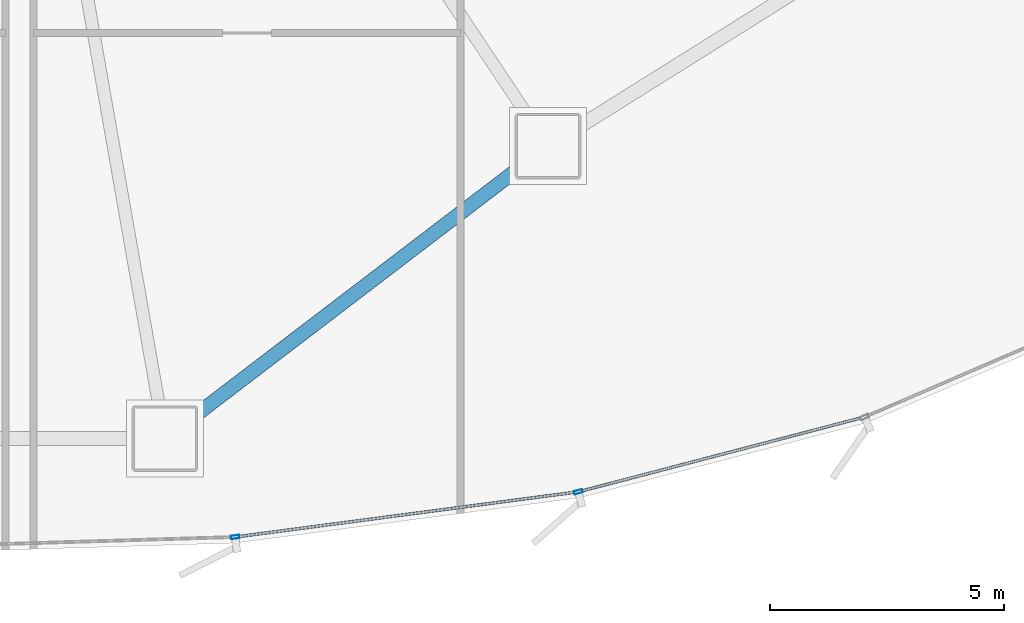
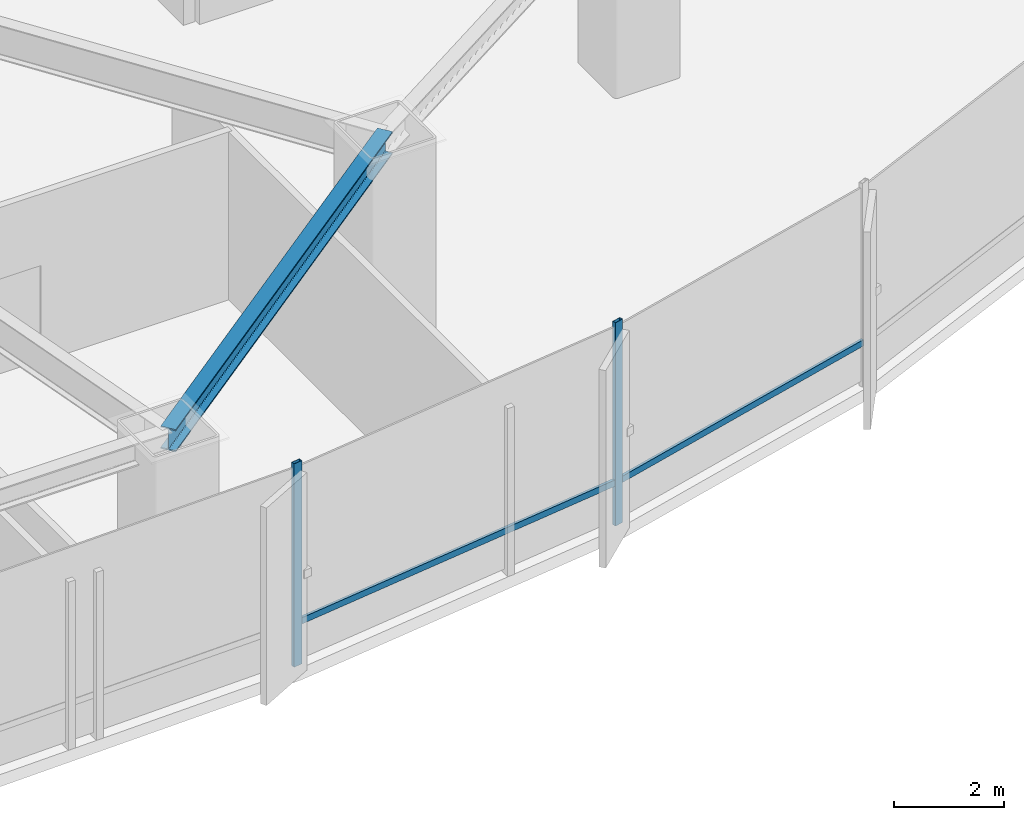
# One storey, part 8 of 34: 4 members, 1 beam, 1 element without a shape of its own.
"""IFC4 building model written with IfcOpenShell, lengths in metres."""

from ifc_helpers import new_model, si_unit, direction, frame, origin, origin_2d, place, context, subcontext, project, spatial, hollow_rectangle, i_section, extrude, source, transform, mapped, material, layer, layer_set, material_profile, profile_set, type_object, element, aggregate, save


model = new_model("IFC4")

# Units and contexts
model_context = context("Model", 3, precision=1e-05, world=origin(), true_north=direction((0.0, 1.0)))
body_context = subcontext(model_context, "Body", "Model", "MODEL_VIEW")
ifc_project = project(units=[si_unit("LENGTHUNIT", "METRE"), si_unit("AREAUNIT", "SQUARE_METRE"), si_unit("VOLUMEUNIT", "CUBIC_METRE"), si_unit("PLANEANGLEUNIT", "RADIAN"), si_unit("MASSUNIT", "GRAM", prefix="KILO"), si_unit("THERMODYNAMICTEMPERATUREUNIT", "KELVIN")], contexts=[model_context])

# Site, building, storey
site_placement = place(None, origin())
site = spatial("IfcSite", under=ifc_project, at=site_placement, CompositionType="ELEMENT")
building_placement = place(site_placement, origin())
building = spatial("IfcBuilding", under=site, at=building_placement, Name="Kethvar Cultural Tower", CompositionType="ELEMENT")
storey_placement = place(building_placement, frame((0.0, 0.0, 14.800048828125)))
storey = spatial("IfcBuildingStorey", under=building, at=storey_placement, Name="L03", CompositionType="ELEMENT", Elevation=14.800048828125)

# Beam
ifc_material_1 = material(Name="Steel S355J2", Category="steel")
ifc_material_profile_1 = material_profile(ifc_material_1, i_section(OverallWidth=0.300048828125, OverallDepth=0.5, WebThickness=0.014404296875, FlangeThickness=0.028076171875, FilletRadius=0.027099609375, at=origin_2d()), Name="Steel S355J2 — HEB500")
ifc_profile_set_1 = profile_set([ifc_material_profile_1], Name="Steel S355J2 — HEB500")
beam_type = type_object("IfcBeamType", Name="BM-SP500", PredefinedType="SPANDREL", material=ifc_profile_set_1)
shared_shape_1 = source(origin(), body_context, "Body", "SweptSolid", [
    extrude(i_section(OverallWidth=0.300048828125, OverallDepth=0.5, WebThickness=0.014404296875, FlangeThickness=0.028076171875, FilletRadius=0.027099609375, at=origin_2d()), origin(), (0.0, 0.0, 1.0), 10.279052734375),
])
beam_placement = place(storey_placement, frame((51.199951171875, 2.75, 4.27783203125), z_axis=(0.794869246576, 0.606780751876, 0.0), x_axis=(-0.606780751876, 0.794869246576, 0.0)))
element("IfcBeam", 1, at=beam_placement, inside=storey, type_object=beam_type, Name="L03 Podium Ring Beam 13", PredefinedType="SPANDREL", context=body_context, shape_type="MappedRepresentation", body=[
    mapped(shared_shape_1, transform((0.0, 0.0, 0.0), scale=1.0)),
])

# Curtain wall, members
ifc_material_2 = material(Name="Aluminium 6063-T6", Category="aluminium")
ifc_layer = layer(ifc_material_2, 0.179931640625, Name="Aluminium 6063-T6", Category="aluminium")
ifc_layer_set = layer_set([ifc_layer], Name="Aluminium 6063-T6 (180 mm)")
curtain_wall_type = type_object("IfcCurtainWallType", Name="CW-SYS-01-POD", PredefinedType="NOTDEFINED", material=ifc_layer_set)
curtain_wall_placement = place(storey_placement, origin())
curtain_wall = element("IfcCurtainWall", 2, at=curtain_wall_placement, inside=storey, type_object=curtain_wall_type, Name="L03 Curtain Wall Run 05", PredefinedType="NOTDEFINED")
ifc_material_profile_2 = material_profile(ifc_material_2, hollow_rectangle(XDim=0.06005859375, YDim=0.139892578125, WallThickness=0.0048828125, at=origin_2d()), Name="Aluminium 6063-T6 — RHS140x60x5")
ifc_profile_set_2 = profile_set([ifc_material_profile_2], Name="Aluminium 6063-T6 — RHS140x60x5")
member_type_1 = type_object("IfcMemberType", Name="CW-SYS-01-POD-TRN", PredefinedType="USERDEFINED", material=ifc_profile_set_2)
shared_shape_2 = source(origin(), body_context, "Body", "SweptSolid", [
    extrude(hollow_rectangle(XDim=0.06005859375, YDim=0.139892578125, WallThickness=0.0048828125, at=origin_2d()), origin(), (0.0, 0.0, 1.0), 7.28955078125),
])
member_1_placement = place(storey_placement, frame((52.75244140625, 0.658935546875, 0.949951171875), z_axis=(0.991428284846, 0.130652041726, 0.0), x_axis=(-0.130652041726, 0.991428284846, 0.0)))
member_1 = element("IfcMember", 3, at=member_1_placement, type_object=member_type_1, Name="CW-L03-R05 Transom 3", ObjectType="TRANSOM", PredefinedType="USERDEFINED", context=body_context, shape_type="MappedRepresentation", body=[
    mapped(shared_shape_2, transform((0.0, 0.0, 0.0), scale=1.0)),
])
shared_shape_3 = source(origin(), body_context, "Body", "SweptSolid", [
    extrude(hollow_rectangle(XDim=0.06005859375, YDim=0.139892578125, WallThickness=0.0048828125, at=origin_2d()), origin(), (0.0, 0.0, 1.0), 6.221435546875),
])
member_2_placement = place(storey_placement, frame((60.069091796875, 1.62890625, 0.949951171875), z_axis=(0.967458727109, 0.253028874519, 0.0), x_axis=(-0.253028874519, 0.967458727109, 0.0)))
member_2 = element("IfcMember", 4, at=member_2_placement, type_object=member_type_1, Name="CW-L03-R05 Transom 4", ObjectType="TRANSOM", PredefinedType="USERDEFINED", context=body_context, shape_type="MappedRepresentation", body=[
    mapped(shared_shape_3, transform((0.0, 0.0, 0.0), scale=1.0)),
])
ifc_material_profile_3 = material_profile(ifc_material_2, hollow_rectangle(XDim=0.074951171875, YDim=0.179931640625, WallThickness=0.006103515625, at=origin_2d()), Name="Aluminium 6063-T6 — RHS180x75x6")
ifc_profile_set_3 = profile_set([ifc_material_profile_3], Name="Aluminium 6063-T6 — RHS180x75x6")
member_type_2 = type_object("IfcMemberType", Name="CW-SYS-01-POD-MUL", PredefinedType="MULLION", material=ifc_profile_set_3)
shared_shape_4 = source(origin(), body_context, "Body", "SweptSolid", [
    extrude(hollow_rectangle(XDim=0.074951171875, YDim=0.179931640625, WallThickness=0.006103515625, at=origin_2d()), origin(), (0.0, 0.0, 1.0), 4.530029296875),
])
member_3_placement = place(storey_placement, frame((52.698974609375, 0.652099609375, 0.0), z_axis=(0.0, 0.0, 1.0), x_axis=(-0.130647319086, 0.991428907192, 0.0)))
member_3 = element("IfcMember", 5, at=member_3_placement, type_object=member_type_2, Name="CW-L03-R05 Mullion 3", PredefinedType="MULLION", context=body_context, shape_type="MappedRepresentation", body=[
    mapped(shared_shape_4, transform((0.0, 0.0, 0.0), scale=1.0)),
])
member_4_placement = place(storey_placement, frame((60.01708984375, 1.615234375, 0.0), z_axis=(0.0, 0.0, 1.0), x_axis=(-0.253031946887, 0.967457923558, 0.0)))
member_4 = element("IfcMember", 6, at=member_4_placement, type_object=member_type_2, Name="CW-L03-R05 Mullion 4", PredefinedType="MULLION", context=body_context, shape_type="MappedRepresentation", body=[
    mapped(shared_shape_4, transform((0.0, 0.0, 0.0), scale=1.0)),
])
aggregate(curtain_wall, [member_3, member_4, member_1, member_2])

save(model, "model.ifc")
